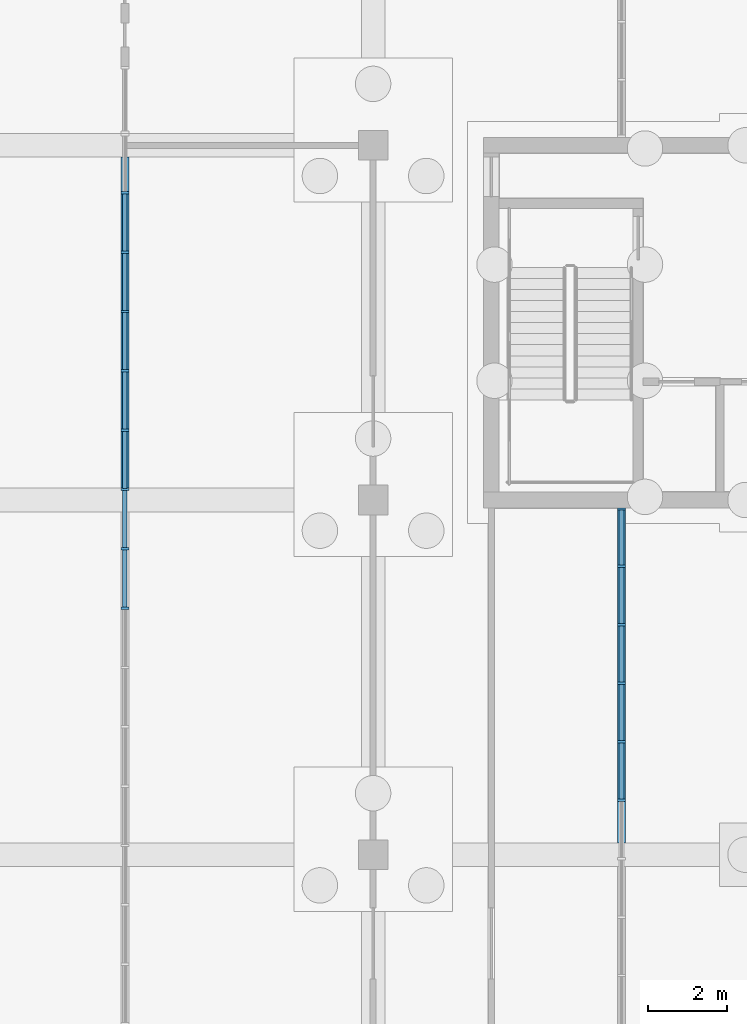
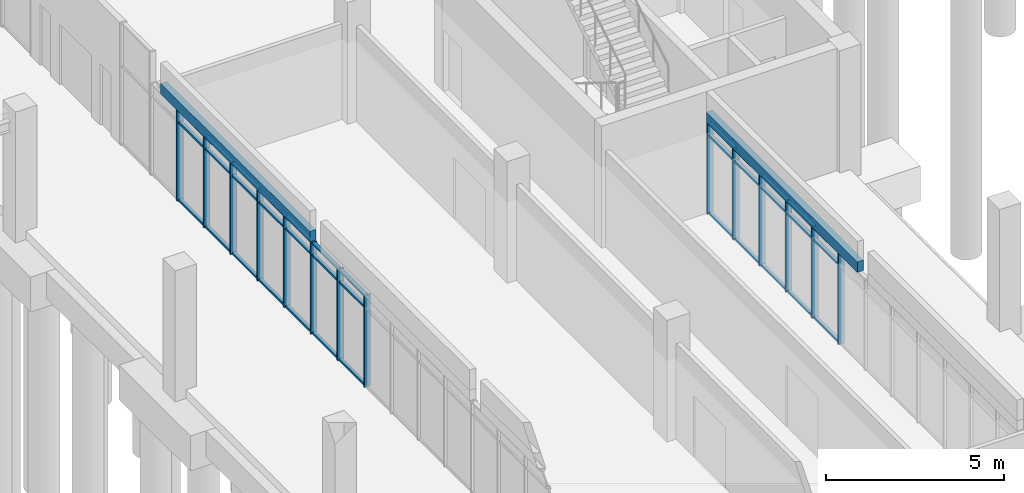
# One storey, part 39 of 106: 50 members, 2 beams, 2 elements without a shape of their own.
"""IFC4 building model written with IfcOpenShell, lengths in metres."""

import ifcopenshell
import ifcopenshell.guid

model = None  # the IFC model being written
_history = None  # IfcOwnerHistory: only IFC2X3 demands one
_inside = {}  # id of a spatial element -> (the spatial element, [elements in it])
_under = {}  # id of a project, library or spatial element -> (it, [spatial elements below it])
_declared = {}  # id of a project -> (the project, [libraries it declares])
_typed = {}  # id of a type object -> (the type object, [elements of that type])
_made_of = {}  # id of a material, layer set ... -> (it, [elements and type objects made of it])


def new_model(schema):
    """Start an empty IFC model of exactly this schema.

    Asked for "IFC4X3", IfcOpenShell would pick the latest addendum, in which some entities
    have other attributes; the version numbers below select the first issue.
    IFC2X3 requires an IfcOwnerHistory on every rooted entity: one is made here for all.
    """
    global model, _history
    if schema == "IFC4X3":
        model = ifcopenshell.file(schema_version=(4, 3, 0, 0))
    else:
        model = ifcopenshell.file(schema=schema)
    _inside.clear()
    _under.clear()
    _declared.clear()
    _typed.clear()
    _made_of.clear()
    _history = None
    if model.schema == "IFC2X3":
        org = make("IfcOrganization", Name="unknown")
        user = make(
            "IfcPersonAndOrganization",
            ThePerson=make("IfcPerson", FamilyName="unknown"),
            TheOrganization=org,
        )
        app = make(
            "IfcApplication",
            ApplicationDeveloper=org,
            Version="unknown",
            ApplicationFullName="unknown",
            ApplicationIdentifier="unknown",
        )
        _history = make(
            "IfcOwnerHistory",
            OwningUser=user,
            OwningApplication=app,
            ChangeAction="ADDED",
            CreationDate=0,
        )
    return model


def make(cls, **values):
    """One entity of the class cls with the attributes given. An attribute that is None is left unset."""
    return model.create_entity(
        cls, **{name: value for name, value in values.items() if value is not None}
    )


def rooted(cls, **values):
    """An entity with a GlobalId (a new one), such as an element, a storey or a relation."""
    return make(cls, GlobalId=ifcopenshell.guid.new(), OwnerHistory=_history, **values)


def si_unit(unit_type, name, prefix=None):
    """IfcSIUnit, for example si_unit("LENGTHUNIT", "METRE", prefix="MILLI")."""
    return make("IfcSIUnit", UnitType=unit_type, Prefix=prefix, Name=name)


def assignment(units):
    """IfcUnitAssignment: the units of a project."""
    return None if units is None else make("IfcUnitAssignment", Units=units)


def point(xyz):
    """IfcCartesianPoint."""
    return None if xyz is None else make("IfcCartesianPoint", Coordinates=xyz)


def direction(xyz):
    """IfcDirection."""
    return None if xyz is None else make("IfcDirection", DirectionRatios=xyz)


def frame(location, z_axis=None, x_axis=None):
    """IfcAxis2Placement3D, a coordinate frame: its origin and axes. An axis left out is left unset."""
    return make(
        "IfcAxis2Placement3D",
        Location=point(location),
        Axis=direction(z_axis),
        RefDirection=direction(x_axis),
    )


def frame_2d(location, x_axis=None):
    """IfcAxis2Placement2D, a coordinate frame in the plane: its origin and x axis."""
    return make(
        "IfcAxis2Placement2D", Location=point(location), RefDirection=direction(x_axis)
    )


def origin():
    """The frame at (0, 0, 0) with its axes left unset."""
    return frame((0.0, 0.0, 0.0))


def origin_2d():
    """The frame at (0, 0) in the plane with its x axis left unset."""
    return frame_2d((0.0, 0.0))


def place(relative_to, where):
    """IfcLocalPlacement: puts the frame where relative to a parent placement (None: the world)."""
    return make(
        "IfcLocalPlacement", PlacementRelTo=relative_to, RelativePlacement=where
    )


def context(
    kind, dimensions, precision=None, world=None, true_north=None, identifier=None
):
    """IfcGeometricRepresentationContext, for example the 3D "Model" context."""
    return make(
        "IfcGeometricRepresentationContext",
        ContextIdentifier=identifier,
        ContextType=kind,
        CoordinateSpaceDimension=dimensions,
        Precision=precision,
        WorldCoordinateSystem=world,
        TrueNorth=true_north,
    )


def subcontext(parent, identifier, kind, view, scale=None):
    """IfcGeometricRepresentationSubContext, for example "Body" below "Model"."""
    return make(
        "IfcGeometricRepresentationSubContext",
        ContextIdentifier=identifier,
        ContextType=kind,
        ParentContext=parent,
        TargetScale=scale,
        TargetView=view,
    )


def project(units=None, contexts=None):
    """IfcProject with its units and contexts."""
    return rooted(
        "IfcProject",
        Name="project",
        RepresentationContexts=contexts,
        UnitsInContext=assignment(units),
    )


def spatial(cls, under=None, at=None, **own):
    """A site, building, storey or space (cls), placed at a placement, below another one or the project."""
    s = rooted(cls, ObjectPlacement=at, **own)
    if under is not None:
        _under.setdefault(under.id(), (under, []))[1].append(s)
    return s


def profile(cls, at=None, kind="AREA", **sizes):
    """A parametric profile (cls). Its sizes go by their IFC names, for example OverallWidth=200.0."""
    return make(cls, ProfileType=kind, Position=at, **sizes)


def rectangle(**sizes):
    """IfcRectangleProfileDef."""
    return profile("IfcRectangleProfileDef", **sizes)


def extrude(swept, where, along, depth):
    """IfcExtrudedAreaSolid: the profile swept, set in the frame where, extruded along a direction by depth."""
    return make(
        "IfcExtrudedAreaSolid",
        SweptArea=swept,
        Position=where,
        ExtrudedDirection=direction(along),
        Depth=depth,
    )


def shape(context_of_items, identifier, shape_type, items):
    """IfcShapeRepresentation: the items that make up one representation, for example the "Body"."""
    return make(
        "IfcShapeRepresentation",
        ContextOfItems=context_of_items,
        RepresentationIdentifier=identifier,
        RepresentationType=shape_type,
        Items=items,
    )


def material(Name=None, Category=None):
    """IfcMaterial."""
    return make("IfcMaterial", Name=Name, Category=Category)


def material_profile(
    of_material, cross_section, Name=None, Category=None, Priority=None
):
    """IfcMaterialProfile: a cross section and its material."""
    return make(
        "IfcMaterialProfile",
        Name=Name,
        Material=of_material,
        Profile=cross_section,
        Priority=Priority,
        Category=Category,
    )


def profile_set(profiles, Name=None, composite=None):
    """IfcMaterialProfileSet."""
    return make(
        "IfcMaterialProfileSet",
        Name=Name,
        MaterialProfiles=profiles,
        CompositeProfile=composite,
    )


def made_of(thing, what):
    """Note that an element or type object is made of a material, layer set ...; save() writes the relation."""
    if what is not None:
        _made_of.setdefault(what.id(), (what, []))[1].append(thing)
    return thing


def type_object(cls, material=None, **own):
    """A type object (cls), such as IfcWallType, which elements share."""
    return made_of(rooted(cls, **own), material)


def element(
    cls,
    number,
    at=None,
    inside=None,
    cuts=None,
    type_object=None,
    material=None,
    context=None,
    identifier="Body",
    shape_type=None,
    held_by="IfcProductDefinitionShape",
    body=None,
    shapes=None,
    **own,
):
    """One element of the class cls, such as IfcWall. Its Tag is "e" and its number.

    at: its placement. inside: the storey or other place that contains it. cuts: it is an
    opening in that element (IfcRelVoidsElement). A single representation is given by context,
    identifier, shape_type and body (its items); several are given by shapes. held_by: the class
    of the entity that holds the representations. save() writes the other relations.
    """
    e = rooted(cls, Tag="e%d" % number, ObjectPlacement=at, **own)
    if body is not None:
        shapes = [shape(context, identifier, shape_type, body)]
    if shapes is not None:
        e.Representation = make(held_by, Representations=shapes)
    if inside is not None:
        _inside.setdefault(inside.id(), (inside, []))[1].append(e)
    if cuts is not None:
        rooted(
            "IfcRelVoidsElement", RelatingBuildingElement=cuts, RelatedOpeningElement=e
        )
    if type_object is not None:
        _typed.setdefault(type_object.id(), (type_object, []))[1].append(e)
    return made_of(e, material)


def aggregate(whole, parts):
    """IfcRelAggregates: a whole, such as a stair, and the parts it consists of."""
    return rooted("IfcRelAggregates", RelatingObject=whole, RelatedObjects=parts)


def save(model, path):
    """Write the relations noted so far, then the file.

    IfcRelAggregates (storeys below a building ...), IfcRelContainedInSpatialStructure (elements
    in a storey), IfcRelDefinesByType, IfcRelAssociatesMaterial and IfcRelDeclares: one each for
    every whole, place, type object, material and project.
    """
    for whole, parts in _under.values():
        aggregate(whole, parts)
    for where, things in _inside.values():
        rooted(
            "IfcRelContainedInSpatialStructure",
            RelatedElements=things,
            RelatingStructure=where,
        )
    for kind, things in _typed.values():
        rooted("IfcRelDefinesByType", RelatedObjects=things, RelatingType=kind)
    for what, things in _made_of.values():
        rooted("IfcRelAssociatesMaterial", RelatedObjects=things, RelatingMaterial=what)
    for by, libraries in _declared.values():
        rooted("IfcRelDeclares", RelatingContext=by, RelatedDefinitions=libraries)
    model.write(path)


model = new_model("IFC4")

# Units and contexts
model_context = context("Model", 3, precision=1e-05, world=origin(), true_north=direction((0.0, 1.0)))
body_context = subcontext(model_context, "Body", "Model", "MODEL_VIEW")
ifc_project = project(units=[si_unit("LENGTHUNIT", "METRE"), si_unit("AREAUNIT", "SQUARE_METRE"), si_unit("VOLUMEUNIT", "CUBIC_METRE"), si_unit("PLANEANGLEUNIT", "RADIAN"), si_unit("MASSUNIT", "GRAM", prefix="KILO")], contexts=[model_context])

# Site, building, storey
site_placement = place(None, origin())
site = spatial("IfcSite", under=ifc_project, at=site_placement, CompositionType="ELEMENT")
building_placement = place(site_placement, origin())
building = spatial("IfcBuilding", under=site, at=building_placement, Name="Merrow Basin Faculty of Sciences", CompositionType="ELEMENT")
storey_placement = place(building_placement, origin())
storey = spatial("IfcBuildingStorey", under=building, at=storey_placement, Name="L00", CompositionType="ELEMENT", Elevation=0.0)

# Curtain wall, members
ifc_material_1 = material(Name="Aluminium alloy 6063", Category="aluminium")
curtain_wall_type = type_object("IfcCurtainWallType", Name="Bar ground curtain wall 200", PredefinedType="NOTDEFINED", material=ifc_material_1)
curtain_wall_1_placement = place(storey_placement, origin())
curtain_wall_1 = element("IfcCurtainWall", 1, at=curtain_wall_1_placement, inside=storey, type_object=curtain_wall_type, Name="Ground curtain wall L00 1", PredefinedType="NOTDEFINED")
ifc_material_2 = material(Name="Aluminium alloy 6063", Category="aluminium")
ifc_material_profile_1 = material_profile(ifc_material_2, rectangle(XDim=0.199951171875, YDim=0.06005859375, at=origin_2d()))
ifc_profile_set_1 = profile_set([ifc_material_profile_1], Name="Aluminium alloy 6063")
member_type_1 = type_object("IfcMemberType", Name="Aluminium mullion 60x200", PredefinedType="MULLION", material=ifc_profile_set_1)
member_1_placement = place(storey_placement, frame((4.5, 85.255615234375, 0.0), z_axis=(0.0, 0.0, 1.0), x_axis=(-1.0, 0.0, 0.0)))
member_1 = element("IfcMember", 2, at=member_1_placement, type_object=member_type_1, Name="CW2 mullion 11", PredefinedType="MULLION", context=body_context, shape_type="SweptSolid", body=[
    extrude(rectangle(XDim=0.199951171875, YDim=0.06005859375, at=origin_2d()), origin(), (0.0, 0.0, 1.0), 3.139892578125),
])
member_2_placement = place(storey_placement, frame((4.5, 86.76123046875, 0.0), z_axis=(0.0, 0.0, 1.0), x_axis=(-1.0, 0.0, 0.0)))
member_2 = element("IfcMember", 3, at=member_2_placement, type_object=member_type_1, Name="CW2 mullion 12", PredefinedType="MULLION", context=body_context, shape_type="SweptSolid", body=[
    extrude(rectangle(XDim=0.199951171875, YDim=0.06005859375, at=origin_2d()), origin(), (0.0, 0.0, 1.0), 3.139892578125),
])
member_3_placement = place(storey_placement, frame((4.5, 88.2666015625, 0.0), z_axis=(0.0, 0.0, 1.0), x_axis=(-1.0, 0.0, 0.0)))
member_3 = element("IfcMember", 4, at=member_3_placement, type_object=member_type_1, Name="CW2 mullion 13", PredefinedType="MULLION", context=body_context, shape_type="SweptSolid", body=[
    extrude(rectangle(XDim=0.199951171875, YDim=0.06005859375, at=origin_2d()), origin(), (0.0, 0.0, 1.0), 3.139892578125),
])
member_4_placement = place(storey_placement, frame((4.5, 89.772216796875, 0.0), z_axis=(0.0, 0.0, 1.0), x_axis=(-1.0, 0.0, 0.0)))
member_4 = element("IfcMember", 5, at=member_4_placement, type_object=member_type_1, Name="CW2 mullion 14", PredefinedType="MULLION", context=body_context, shape_type="SweptSolid", body=[
    extrude(rectangle(XDim=0.199951171875, YDim=0.06005859375, at=origin_2d()), origin(), (0.0, 0.0, 1.0), 3.139892578125),
])
member_5_placement = place(storey_placement, frame((4.5, 91.27783203125, 0.0), z_axis=(0.0, 0.0, 1.0), x_axis=(-1.0, 0.0, 0.0)))
member_5 = element("IfcMember", 6, at=member_5_placement, type_object=member_type_1, Name="CW2 mullion 15", PredefinedType="MULLION", context=body_context, shape_type="SweptSolid", body=[
    extrude(rectangle(XDim=0.199951171875, YDim=0.06005859375, at=origin_2d()), origin(), (0.0, 0.0, 1.0), 3.139892578125),
])
member_6_placement = place(storey_placement, frame((4.5, 92.783447265625, 0.0), z_axis=(0.0, 0.0, 1.0), x_axis=(-1.0, 0.0, 0.0)))
member_6 = element("IfcMember", 7, at=member_6_placement, type_object=member_type_1, Name="CW2 mullion 16", PredefinedType="MULLION", context=body_context, shape_type="SweptSolid", body=[
    extrude(rectangle(XDim=0.199951171875, YDim=0.06005859375, at=origin_2d()), origin(), (0.0, 0.0, 1.0), 3.139892578125),
])
member_7_placement = place(storey_placement, frame((4.5, 94.288818359375, 0.0), z_axis=(0.0, 0.0, 1.0), x_axis=(-1.0, 0.0, 0.0)))
member_7 = element("IfcMember", 8, at=member_7_placement, type_object=member_type_1, Name="CW2 mullion 17", PredefinedType="MULLION", context=body_context, shape_type="SweptSolid", body=[
    extrude(rectangle(XDim=0.199951171875, YDim=0.06005859375, at=origin_2d()), origin(), (0.0, 0.0, 1.0), 3.139892578125),
])
member_8_placement = place(storey_placement, frame((4.5, 95.79443359375, 0.0), z_axis=(0.0, 0.0, 1.0), x_axis=(-1.0, 0.0, 0.0)))
member_8 = element("IfcMember", 9, at=member_8_placement, type_object=member_type_1, Name="CW2 mullion 18", PredefinedType="MULLION", context=body_context, shape_type="SweptSolid", body=[
    extrude(rectangle(XDim=0.199951171875, YDim=0.06005859375, at=origin_2d()), origin(), (0.0, 0.0, 1.0), 3.139892578125),
])

curtain_wall_2_placement = place(storey_placement, origin())
curtain_wall_2 = element("IfcCurtainWall", 10, at=curtain_wall_2_placement, inside=storey, type_object=curtain_wall_type, Name="Ground curtain wall L00 5", PredefinedType="NOTDEFINED")
member_9_placement = place(storey_placement, frame((17.10009765625, 80.38330078125, 0.0), z_axis=(0.0, 0.0, 1.0), x_axis=(-1.0, 0.0, 0.0)))
member_9 = element("IfcMember", 11, at=member_9_placement, type_object=member_type_1, Name="CW2 mullion 8", PredefinedType="MULLION", context=body_context, shape_type="SweptSolid", body=[
    extrude(rectangle(XDim=0.199951171875, YDim=0.06005859375, at=origin_2d()), origin(), (0.0, 0.0, 1.0), 3.139892578125),
])
member_10_placement = place(storey_placement, frame((17.10009765625, 81.86669921875, 0.0), z_axis=(0.0, 0.0, 1.0), x_axis=(-1.0, 0.0, 0.0)))
member_10 = element("IfcMember", 12, at=member_10_placement, type_object=member_type_1, Name="CW2 mullion 9", PredefinedType="MULLION", context=body_context, shape_type="SweptSolid", body=[
    extrude(rectangle(XDim=0.199951171875, YDim=0.06005859375, at=origin_2d()), origin(), (0.0, 0.0, 1.0), 3.139892578125),
])
member_11_placement = place(storey_placement, frame((17.10009765625, 83.35009765625, 0.0), z_axis=(0.0, 0.0, 1.0), x_axis=(-1.0, 0.0, 0.0)))
member_11 = element("IfcMember", 13, at=member_11_placement, type_object=member_type_1, Name="CW2 mullion 10", PredefinedType="MULLION", context=body_context, shape_type="SweptSolid", body=[
    extrude(rectangle(XDim=0.199951171875, YDim=0.06005859375, at=origin_2d()), origin(), (0.0, 0.0, 1.0), 3.139892578125),
])
member_12_placement = place(storey_placement, frame((17.10009765625, 84.833251953125, 0.0), z_axis=(0.0, 0.0, 1.0), x_axis=(-1.0, 0.0, 0.0)))
member_12 = element("IfcMember", 14, at=member_12_placement, type_object=member_type_1, Name="CW2 mullion 11", PredefinedType="MULLION", context=body_context, shape_type="SweptSolid", body=[
    extrude(rectangle(XDim=0.199951171875, YDim=0.06005859375, at=origin_2d()), origin(), (0.0, 0.0, 1.0), 3.139892578125),
])
member_13_placement = place(storey_placement, frame((17.10009765625, 86.316650390625, 0.0), z_axis=(0.0, 0.0, 1.0), x_axis=(-1.0, 0.0, 0.0)))
member_13 = element("IfcMember", 15, at=member_13_placement, type_object=member_type_1, Name="CW2 mullion 12", PredefinedType="MULLION", context=body_context, shape_type="SweptSolid", body=[
    extrude(rectangle(XDim=0.199951171875, YDim=0.06005859375, at=origin_2d()), origin(), (0.0, 0.0, 1.0), 3.139892578125),
])
member_14_placement = place(storey_placement, frame((17.10009765625, 87.77001953125, 0.0), z_axis=(0.0, 0.0, 1.0), x_axis=(-1.0, 0.0, 0.0)))
member_14 = element("IfcMember", 16, at=member_14_placement, type_object=member_type_1, Name="CW2 mullion 13", PredefinedType="MULLION", context=body_context, shape_type="SweptSolid", body=[
    extrude(rectangle(XDim=0.199951171875, YDim=0.06005859375, at=origin_2d()), origin(), (0.0, 0.0, 1.0), 3.139892578125),
])

# Member
ifc_material_3 = material(Name="Aluminium alloy 6063", Category="aluminium")
ifc_material_profile_2 = material_profile(ifc_material_3, rectangle(XDim=0.1201171875, YDim=0.06005859375, at=origin_2d()))
ifc_profile_set_2 = profile_set([ifc_material_profile_2], Name="Aluminium alloy 6063")
member_type_2 = type_object("IfcMemberType", Name="Aluminium transom 60x120", PredefinedType="USERDEFINED", material=ifc_profile_set_2)
member_15_placement = place(storey_placement, frame((4.5, 85.28564453125, 0.030029296875), z_axis=(0.0, 1.0, 0.0), x_axis=(-1.0, 0.0, 0.0)))
member_15 = element("IfcMember", 17, at=member_15_placement, type_object=member_type_2, Name="CW2 transom 11.1", ObjectType="TRANSOM", PredefinedType="USERDEFINED", context=body_context, shape_type="SweptSolid", body=[
    extrude(rectangle(XDim=0.1201171875, YDim=0.06005859375, at=origin_2d()), origin(), (0.0, 0.0, 1.0), 1.445556640625),
])

member_16_placement = place(storey_placement, frame((4.5, 85.28564453125, 2.699951171875), z_axis=(0.0, 1.0, 0.0), x_axis=(-1.0, 0.0, 0.0)))
member_16 = element("IfcMember", 18, at=member_16_placement, type_object=member_type_2, Name="CW2 transom 11.2", ObjectType="TRANSOM", PredefinedType="USERDEFINED", context=body_context, shape_type="SweptSolid", body=[
    extrude(rectangle(XDim=0.1201171875, YDim=0.06005859375, at=origin_2d()), origin(), (0.0, 0.0, 1.0), 1.445556640625),
])

member_17_placement = place(storey_placement, frame((4.5, 85.28564453125, 3.110107421875), z_axis=(0.0, 1.0, 0.0), x_axis=(-1.0, 0.0, 0.0)))
member_17 = element("IfcMember", 19, at=member_17_placement, type_object=member_type_2, Name="CW2 transom 11.3", ObjectType="TRANSOM", PredefinedType="USERDEFINED", context=body_context, shape_type="SweptSolid", body=[
    extrude(rectangle(XDim=0.1201171875, YDim=0.06005859375, at=origin_2d()), origin(), (0.0, 0.0, 1.0), 1.445556640625),
])

member_18_placement = place(storey_placement, frame((4.5, 86.791015625, 0.030029296875), z_axis=(0.0, 1.0, 0.0), x_axis=(-1.0, 0.0, 0.0)))
member_18 = element("IfcMember", 20, at=member_18_placement, type_object=member_type_2, Name="CW2 transom 12.1", ObjectType="TRANSOM", PredefinedType="USERDEFINED", context=body_context, shape_type="SweptSolid", body=[
    extrude(rectangle(XDim=0.1201171875, YDim=0.06005859375, at=origin_2d()), origin(), (0.0, 0.0, 1.0), 1.445556640625),
])

member_19_placement = place(storey_placement, frame((4.5, 86.791015625, 2.699951171875), z_axis=(0.0, 1.0, 0.0), x_axis=(-1.0, 0.0, 0.0)))
member_19 = element("IfcMember", 21, at=member_19_placement, type_object=member_type_2, Name="CW2 transom 12.2", ObjectType="TRANSOM", PredefinedType="USERDEFINED", context=body_context, shape_type="SweptSolid", body=[
    extrude(rectangle(XDim=0.1201171875, YDim=0.06005859375, at=origin_2d()), origin(), (0.0, 0.0, 1.0), 1.445556640625),
])

member_20_placement = place(storey_placement, frame((4.5, 86.791015625, 3.110107421875), z_axis=(0.0, 1.0, 0.0), x_axis=(-1.0, 0.0, 0.0)))
member_20 = element("IfcMember", 22, at=member_20_placement, type_object=member_type_2, Name="CW2 transom 12.3", ObjectType="TRANSOM", PredefinedType="USERDEFINED", context=body_context, shape_type="SweptSolid", body=[
    extrude(rectangle(XDim=0.1201171875, YDim=0.06005859375, at=origin_2d()), origin(), (0.0, 0.0, 1.0), 1.445556640625),
])

member_21_placement = place(storey_placement, frame((4.5, 88.296630859375, 0.030029296875), z_axis=(0.0, 1.0, 0.0), x_axis=(-1.0, 0.0, 0.0)))
member_21 = element("IfcMember", 23, at=member_21_placement, type_object=member_type_2, Name="CW2 transom 13.1", ObjectType="TRANSOM", PredefinedType="USERDEFINED", context=body_context, shape_type="SweptSolid", body=[
    extrude(rectangle(XDim=0.1201171875, YDim=0.06005859375, at=origin_2d()), origin(), (0.0, 0.0, 1.0), 1.445556640625),
])

member_22_placement = place(storey_placement, frame((4.5, 88.296630859375, 2.699951171875), z_axis=(0.0, 1.0, 0.0), x_axis=(-1.0, 0.0, 0.0)))
member_22 = element("IfcMember", 24, at=member_22_placement, type_object=member_type_2, Name="CW2 transom 13.2", ObjectType="TRANSOM", PredefinedType="USERDEFINED", context=body_context, shape_type="SweptSolid", body=[
    extrude(rectangle(XDim=0.1201171875, YDim=0.06005859375, at=origin_2d()), origin(), (0.0, 0.0, 1.0), 1.445556640625),
])

member_23_placement = place(storey_placement, frame((4.5, 88.296630859375, 3.110107421875), z_axis=(0.0, 1.0, 0.0), x_axis=(-1.0, 0.0, 0.0)))
member_23 = element("IfcMember", 25, at=member_23_placement, type_object=member_type_2, Name="CW2 transom 13.3", ObjectType="TRANSOM", PredefinedType="USERDEFINED", context=body_context, shape_type="SweptSolid", body=[
    extrude(rectangle(XDim=0.1201171875, YDim=0.06005859375, at=origin_2d()), origin(), (0.0, 0.0, 1.0), 1.445556640625),
])

member_24_placement = place(storey_placement, frame((4.5, 89.80224609375, 0.030029296875), z_axis=(0.0, 1.0, 0.0), x_axis=(-1.0, 0.0, 0.0)))
member_24 = element("IfcMember", 26, at=member_24_placement, type_object=member_type_2, Name="CW2 transom 14.1", ObjectType="TRANSOM", PredefinedType="USERDEFINED", context=body_context, shape_type="SweptSolid", body=[
    extrude(rectangle(XDim=0.1201171875, YDim=0.06005859375, at=origin_2d()), origin(), (0.0, 0.0, 1.0), 1.445556640625),
])

member_25_placement = place(storey_placement, frame((4.5, 89.80224609375, 2.699951171875), z_axis=(0.0, 1.0, 0.0), x_axis=(-1.0, 0.0, 0.0)))
member_25 = element("IfcMember", 27, at=member_25_placement, type_object=member_type_2, Name="CW2 transom 14.2", ObjectType="TRANSOM", PredefinedType="USERDEFINED", context=body_context, shape_type="SweptSolid", body=[
    extrude(rectangle(XDim=0.1201171875, YDim=0.06005859375, at=origin_2d()), origin(), (0.0, 0.0, 1.0), 1.445556640625),
])

member_26_placement = place(storey_placement, frame((4.5, 89.80224609375, 3.110107421875), z_axis=(0.0, 1.0, 0.0), x_axis=(-1.0, 0.0, 0.0)))
member_26 = element("IfcMember", 28, at=member_26_placement, type_object=member_type_2, Name="CW2 transom 14.3", ObjectType="TRANSOM", PredefinedType="USERDEFINED", context=body_context, shape_type="SweptSolid", body=[
    extrude(rectangle(XDim=0.1201171875, YDim=0.06005859375, at=origin_2d()), origin(), (0.0, 0.0, 1.0), 1.445556640625),
])

member_27_placement = place(storey_placement, frame((4.5, 91.307861328125, 0.030029296875), z_axis=(0.0, 1.0, 0.0), x_axis=(-1.0, 0.0, 0.0)))
member_27 = element("IfcMember", 29, at=member_27_placement, type_object=member_type_2, Name="CW2 transom 15.1", ObjectType="TRANSOM", PredefinedType="USERDEFINED", context=body_context, shape_type="SweptSolid", body=[
    extrude(rectangle(XDim=0.1201171875, YDim=0.06005859375, at=origin_2d()), origin(), (0.0, 0.0, 1.0), 1.445556640625),
])

member_28_placement = place(storey_placement, frame((4.5, 91.307861328125, 2.699951171875), z_axis=(0.0, 1.0, 0.0), x_axis=(-1.0, 0.0, 0.0)))
member_28 = element("IfcMember", 30, at=member_28_placement, type_object=member_type_2, Name="CW2 transom 15.2", ObjectType="TRANSOM", PredefinedType="USERDEFINED", context=body_context, shape_type="SweptSolid", body=[
    extrude(rectangle(XDim=0.1201171875, YDim=0.06005859375, at=origin_2d()), origin(), (0.0, 0.0, 1.0), 1.445556640625),
])

member_29_placement = place(storey_placement, frame((4.5, 91.307861328125, 3.110107421875), z_axis=(0.0, 1.0, 0.0), x_axis=(-1.0, 0.0, 0.0)))
member_29 = element("IfcMember", 31, at=member_29_placement, type_object=member_type_2, Name="CW2 transom 15.3", ObjectType="TRANSOM", PredefinedType="USERDEFINED", context=body_context, shape_type="SweptSolid", body=[
    extrude(rectangle(XDim=0.1201171875, YDim=0.06005859375, at=origin_2d()), origin(), (0.0, 0.0, 1.0), 1.445556640625),
])

member_30_placement = place(storey_placement, frame((4.5, 92.813232421875, 0.030029296875), z_axis=(0.0, 1.0, 0.0), x_axis=(-1.0, 0.0, 0.0)))
member_30 = element("IfcMember", 32, at=member_30_placement, type_object=member_type_2, Name="CW2 transom 16.1", ObjectType="TRANSOM", PredefinedType="USERDEFINED", context=body_context, shape_type="SweptSolid", body=[
    extrude(rectangle(XDim=0.1201171875, YDim=0.06005859375, at=origin_2d()), origin(), (0.0, 0.0, 1.0), 1.445556640625),
])

member_31_placement = place(storey_placement, frame((4.5, 92.813232421875, 2.699951171875), z_axis=(0.0, 1.0, 0.0), x_axis=(-1.0, 0.0, 0.0)))
member_31 = element("IfcMember", 33, at=member_31_placement, type_object=member_type_2, Name="CW2 transom 16.2", ObjectType="TRANSOM", PredefinedType="USERDEFINED", context=body_context, shape_type="SweptSolid", body=[
    extrude(rectangle(XDim=0.1201171875, YDim=0.06005859375, at=origin_2d()), origin(), (0.0, 0.0, 1.0), 1.445556640625),
])

member_32_placement = place(storey_placement, frame((4.5, 92.813232421875, 3.110107421875), z_axis=(0.0, 1.0, 0.0), x_axis=(-1.0, 0.0, 0.0)))
member_32 = element("IfcMember", 34, at=member_32_placement, type_object=member_type_2, Name="CW2 transom 16.3", ObjectType="TRANSOM", PredefinedType="USERDEFINED", context=body_context, shape_type="SweptSolid", body=[
    extrude(rectangle(XDim=0.1201171875, YDim=0.06005859375, at=origin_2d()), origin(), (0.0, 0.0, 1.0), 1.445556640625),
])

member_33_placement = place(storey_placement, frame((4.5, 94.31884765625, 0.030029296875), z_axis=(0.0, 1.0, 0.0), x_axis=(-1.0, 0.0, 0.0)))
member_33 = element("IfcMember", 35, at=member_33_placement, type_object=member_type_2, Name="CW2 transom 17.1", ObjectType="TRANSOM", PredefinedType="USERDEFINED", context=body_context, shape_type="SweptSolid", body=[
    extrude(rectangle(XDim=0.1201171875, YDim=0.06005859375, at=origin_2d()), origin(), (0.0, 0.0, 1.0), 1.445556640625),
])

member_34_placement = place(storey_placement, frame((4.5, 94.31884765625, 2.699951171875), z_axis=(0.0, 1.0, 0.0), x_axis=(-1.0, 0.0, 0.0)))
member_34 = element("IfcMember", 36, at=member_34_placement, type_object=member_type_2, Name="CW2 transom 17.2", ObjectType="TRANSOM", PredefinedType="USERDEFINED", context=body_context, shape_type="SweptSolid", body=[
    extrude(rectangle(XDim=0.1201171875, YDim=0.06005859375, at=origin_2d()), origin(), (0.0, 0.0, 1.0), 1.445556640625),
])

member_35_placement = place(storey_placement, frame((4.5, 94.31884765625, 3.110107421875), z_axis=(0.0, 1.0, 0.0), x_axis=(-1.0, 0.0, 0.0)))
member_35 = element("IfcMember", 37, at=member_35_placement, type_object=member_type_2, Name="CW2 transom 17.3", ObjectType="TRANSOM", PredefinedType="USERDEFINED", context=body_context, shape_type="SweptSolid", body=[
    extrude(rectangle(XDim=0.1201171875, YDim=0.06005859375, at=origin_2d()), origin(), (0.0, 0.0, 1.0), 1.445556640625),
])

aggregate(curtain_wall_1, [member_1, member_2, member_3, member_4, member_5, member_6, member_7, member_8, member_15, member_16, member_17, member_18, member_19, member_20, member_21, member_22, member_23, member_24, member_25, member_26, member_27, member_28, member_29, member_30, member_31, member_32, member_33, member_34, member_35])

member_36_placement = place(storey_placement, frame((17.10009765625, 80.413330078125, 0.030029296875), z_axis=(0.0, 1.0, 0.0), x_axis=(-1.0, 0.0, 0.0)))
member_36 = element("IfcMember", 38, at=member_36_placement, type_object=member_type_2, Name="CW2 transom 8.1", ObjectType="TRANSOM", PredefinedType="USERDEFINED", context=body_context, shape_type="SweptSolid", body=[
    extrude(rectangle(XDim=0.1201171875, YDim=0.06005859375, at=origin_2d()), origin(), (0.0, 0.0, 1.0), 1.42333984375),
])

member_37_placement = place(storey_placement, frame((17.10009765625, 80.413330078125, 2.699951171875), z_axis=(0.0, 1.0, 0.0), x_axis=(-1.0, 0.0, 0.0)))
member_37 = element("IfcMember", 39, at=member_37_placement, type_object=member_type_2, Name="CW2 transom 8.2", ObjectType="TRANSOM", PredefinedType="USERDEFINED", context=body_context, shape_type="SweptSolid", body=[
    extrude(rectangle(XDim=0.1201171875, YDim=0.06005859375, at=origin_2d()), origin(), (0.0, 0.0, 1.0), 1.42333984375),
])

member_38_placement = place(storey_placement, frame((17.10009765625, 80.413330078125, 3.110107421875), z_axis=(0.0, 1.0, 0.0), x_axis=(-1.0, 0.0, 0.0)))
member_38 = element("IfcMember", 40, at=member_38_placement, type_object=member_type_2, Name="CW2 transom 8.3", ObjectType="TRANSOM", PredefinedType="USERDEFINED", context=body_context, shape_type="SweptSolid", body=[
    extrude(rectangle(XDim=0.1201171875, YDim=0.06005859375, at=origin_2d()), origin(), (0.0, 0.0, 1.0), 1.42333984375),
])

member_39_placement = place(storey_placement, frame((17.10009765625, 81.896728515625, 0.030029296875), z_axis=(0.0, 1.0, 0.0), x_axis=(-1.0, 0.0, 0.0)))
member_39 = element("IfcMember", 41, at=member_39_placement, type_object=member_type_2, Name="CW2 transom 9.1", ObjectType="TRANSOM", PredefinedType="USERDEFINED", context=body_context, shape_type="SweptSolid", body=[
    extrude(rectangle(XDim=0.1201171875, YDim=0.06005859375, at=origin_2d()), origin(), (0.0, 0.0, 1.0), 1.42333984375),
])

member_40_placement = place(storey_placement, frame((17.10009765625, 81.896728515625, 2.699951171875), z_axis=(0.0, 1.0, 0.0), x_axis=(-1.0, 0.0, 0.0)))
member_40 = element("IfcMember", 42, at=member_40_placement, type_object=member_type_2, Name="CW2 transom 9.2", ObjectType="TRANSOM", PredefinedType="USERDEFINED", context=body_context, shape_type="SweptSolid", body=[
    extrude(rectangle(XDim=0.1201171875, YDim=0.06005859375, at=origin_2d()), origin(), (0.0, 0.0, 1.0), 1.42333984375),
])

member_41_placement = place(storey_placement, frame((17.10009765625, 81.896728515625, 3.110107421875), z_axis=(0.0, 1.0, 0.0), x_axis=(-1.0, 0.0, 0.0)))
member_41 = element("IfcMember", 43, at=member_41_placement, type_object=member_type_2, Name="CW2 transom 9.3", ObjectType="TRANSOM", PredefinedType="USERDEFINED", context=body_context, shape_type="SweptSolid", body=[
    extrude(rectangle(XDim=0.1201171875, YDim=0.06005859375, at=origin_2d()), origin(), (0.0, 0.0, 1.0), 1.42333984375),
])

member_42_placement = place(storey_placement, frame((17.10009765625, 83.3798828125, 0.030029296875), z_axis=(0.0, 1.0, 0.0), x_axis=(-1.0, 0.0, 0.0)))
member_42 = element("IfcMember", 44, at=member_42_placement, type_object=member_type_2, Name="CW2 transom 10.1", ObjectType="TRANSOM", PredefinedType="USERDEFINED", context=body_context, shape_type="SweptSolid", body=[
    extrude(rectangle(XDim=0.1201171875, YDim=0.06005859375, at=origin_2d()), origin(), (0.0, 0.0, 1.0), 1.42333984375),
])

member_43_placement = place(storey_placement, frame((17.10009765625, 83.3798828125, 2.699951171875), z_axis=(0.0, 1.0, 0.0), x_axis=(-1.0, 0.0, 0.0)))
member_43 = element("IfcMember", 45, at=member_43_placement, type_object=member_type_2, Name="CW2 transom 10.2", ObjectType="TRANSOM", PredefinedType="USERDEFINED", context=body_context, shape_type="SweptSolid", body=[
    extrude(rectangle(XDim=0.1201171875, YDim=0.06005859375, at=origin_2d()), origin(), (0.0, 0.0, 1.0), 1.42333984375),
])

member_44_placement = place(storey_placement, frame((17.10009765625, 83.3798828125, 3.110107421875), z_axis=(0.0, 1.0, 0.0), x_axis=(-1.0, 0.0, 0.0)))
member_44 = element("IfcMember", 46, at=member_44_placement, type_object=member_type_2, Name="CW2 transom 10.3", ObjectType="TRANSOM", PredefinedType="USERDEFINED", context=body_context, shape_type="SweptSolid", body=[
    extrude(rectangle(XDim=0.1201171875, YDim=0.06005859375, at=origin_2d()), origin(), (0.0, 0.0, 1.0), 1.42333984375),
])

member_45_placement = place(storey_placement, frame((17.10009765625, 84.86328125, 0.030029296875), z_axis=(0.0, 1.0, 0.0), x_axis=(-1.0, 0.0, 0.0)))
member_45 = element("IfcMember", 47, at=member_45_placement, type_object=member_type_2, Name="CW2 transom 11.1", ObjectType="TRANSOM", PredefinedType="USERDEFINED", context=body_context, shape_type="SweptSolid", body=[
    extrude(rectangle(XDim=0.1201171875, YDim=0.06005859375, at=origin_2d()), origin(), (0.0, 0.0, 1.0), 1.42333984375),
])

member_46_placement = place(storey_placement, frame((17.10009765625, 84.86328125, 2.699951171875), z_axis=(0.0, 1.0, 0.0), x_axis=(-1.0, 0.0, 0.0)))
member_46 = element("IfcMember", 48, at=member_46_placement, type_object=member_type_2, Name="CW2 transom 11.2", ObjectType="TRANSOM", PredefinedType="USERDEFINED", context=body_context, shape_type="SweptSolid", body=[
    extrude(rectangle(XDim=0.1201171875, YDim=0.06005859375, at=origin_2d()), origin(), (0.0, 0.0, 1.0), 1.42333984375),
])

member_47_placement = place(storey_placement, frame((17.10009765625, 84.86328125, 3.110107421875), z_axis=(0.0, 1.0, 0.0), x_axis=(-1.0, 0.0, 0.0)))
member_47 = element("IfcMember", 49, at=member_47_placement, type_object=member_type_2, Name="CW2 transom 11.3", ObjectType="TRANSOM", PredefinedType="USERDEFINED", context=body_context, shape_type="SweptSolid", body=[
    extrude(rectangle(XDim=0.1201171875, YDim=0.06005859375, at=origin_2d()), origin(), (0.0, 0.0, 1.0), 1.42333984375),
])

member_48_placement = place(storey_placement, frame((17.10009765625, 86.3466796875, 0.030029296875), z_axis=(0.0, 1.0, 0.0), x_axis=(-1.0, 0.0, 0.0)))
member_48 = element("IfcMember", 50, at=member_48_placement, type_object=member_type_2, Name="CW2 transom 12.1", ObjectType="TRANSOM", PredefinedType="USERDEFINED", context=body_context, shape_type="SweptSolid", body=[
    extrude(rectangle(XDim=0.1201171875, YDim=0.06005859375, at=origin_2d()), origin(), (0.0, 0.0, 1.0), 1.393310546875),
])

member_49_placement = place(storey_placement, frame((17.10009765625, 86.3466796875, 2.699951171875), z_axis=(0.0, 1.0, 0.0), x_axis=(-1.0, 0.0, 0.0)))
member_49 = element("IfcMember", 51, at=member_49_placement, type_object=member_type_2, Name="CW2 transom 12.2", ObjectType="TRANSOM", PredefinedType="USERDEFINED", context=body_context, shape_type="SweptSolid", body=[
    extrude(rectangle(XDim=0.1201171875, YDim=0.06005859375, at=origin_2d()), origin(), (0.0, 0.0, 1.0), 1.393310546875),
])

member_50_placement = place(storey_placement, frame((17.10009765625, 86.3466796875, 3.110107421875), z_axis=(0.0, 1.0, 0.0), x_axis=(-1.0, 0.0, 0.0)))
member_50 = element("IfcMember", 52, at=member_50_placement, type_object=member_type_2, Name="CW2 transom 12.3", ObjectType="TRANSOM", PredefinedType="USERDEFINED", context=body_context, shape_type="SweptSolid", body=[
    extrude(rectangle(XDim=0.1201171875, YDim=0.06005859375, at=origin_2d()), origin(), (0.0, 0.0, 1.0), 1.393310546875),
])

aggregate(curtain_wall_2, [member_9, member_10, member_11, member_12, member_13, member_14, member_36, member_37, member_38, member_39, member_40, member_41, member_42, member_43, member_44, member_45, member_46, member_47, member_48, member_49, member_50])

# Beams
ifc_material_4 = material(Name="Concrete C40/50", Category="concrete")
ifc_material_profile_3 = material_profile(ifc_material_4, rectangle(XDim=0.199951171875, YDim=0.360107421875, at=origin_2d()))
ifc_profile_set_3 = profile_set([ifc_material_profile_3], Name="Concrete C40/50")
beam_type = type_object("IfcBeamType", Name="Precast sill beam 200 x 360 Concrete C40/50", PredefinedType="BEAM", material=ifc_profile_set_3)
beam_1_placement = place(storey_placement, frame((4.5, 88.300048828125, 3.320068359375), z_axis=(0.0, 1.0, 0.0), x_axis=(-1.0, 0.0, 0.0)))
element("IfcBeam", 53, at=beam_1_placement, inside=storey, type_object=beam_type, Name="Recess sill beam", PredefinedType="BEAM", context=body_context, shape_type="SweptSolid", body=[
    extrude(rectangle(XDim=0.199951171875, YDim=0.360107421875, at=origin_2d()), origin(), (0.0, 0.0, 1.0), 8.39990234375),
])
beam_2_placement = place(storey_placement, frame((17.10009765625, 79.300048828125, 3.320068359375), z_axis=(0.0, 1.0, 0.0), x_axis=(-1.0, 0.0, 0.0)))
element("IfcBeam", 54, at=beam_2_placement, inside=storey, type_object=beam_type, Name="Recess sill beam", PredefinedType="BEAM", context=body_context, shape_type="SweptSolid", body=[
    extrude(rectangle(XDim=0.199951171875, YDim=0.360107421875, at=origin_2d()), origin(), (0.0, 0.0, 1.0), 8.5),
])

save(model, "model.ifc")
